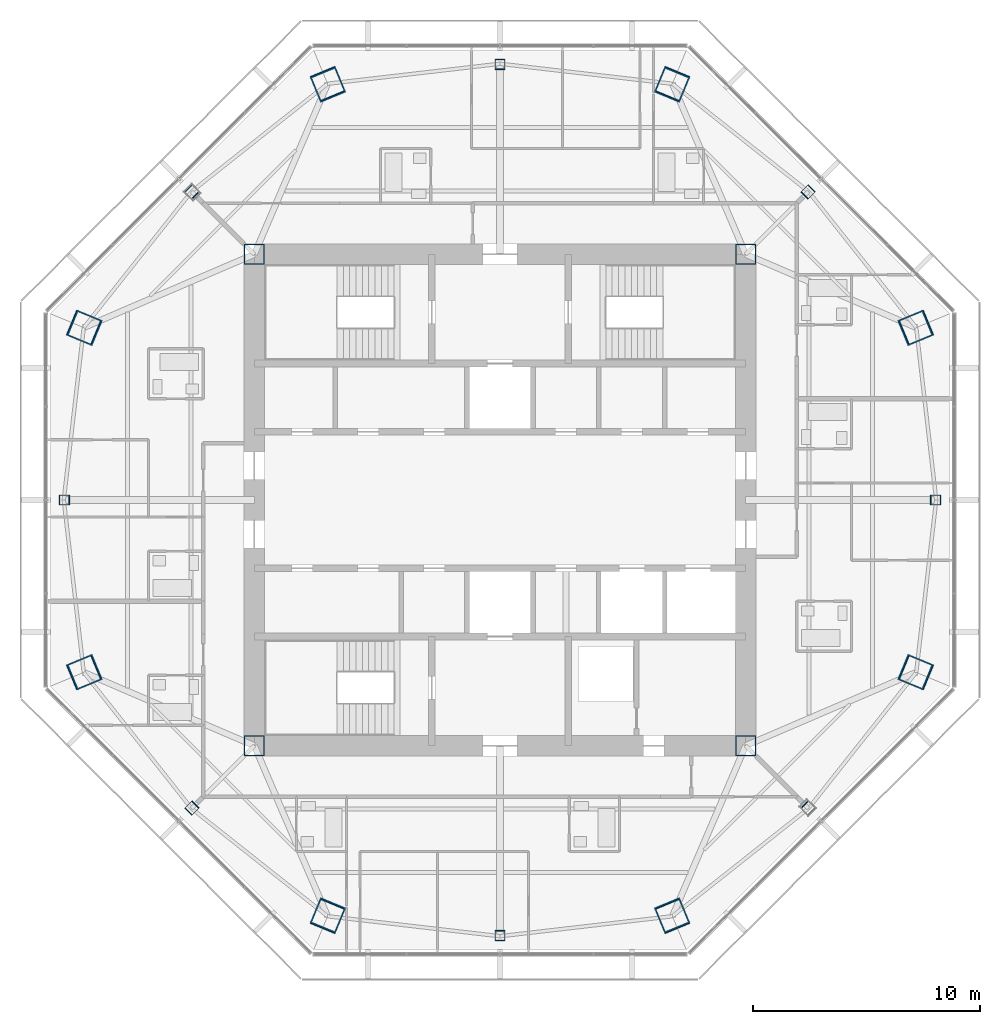
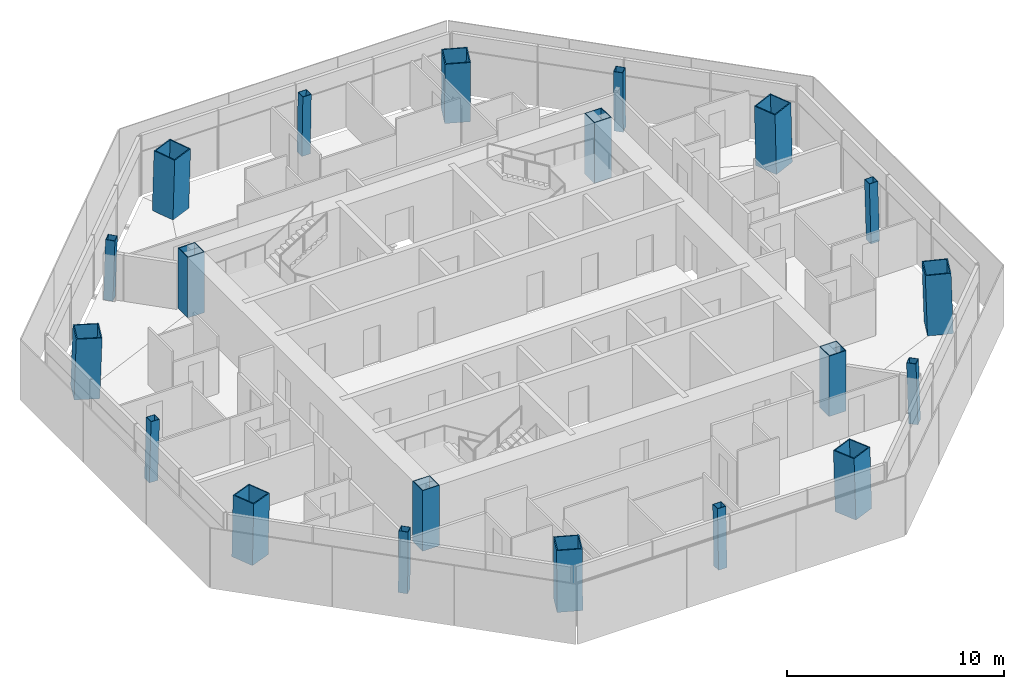
# One storey, part 1 of 14: 20 columns.
"""IFC4 building model written with IfcOpenShell, lengths in metres."""

from ifc_helpers import new_model, si_unit, direction, frame, origin, origin_2d, place, context, subcontext, project, spatial, hollow_rectangle, extrude, material, material_profile, profile_set, type_object, element, save


model = new_model("IFC4")

# Units and contexts
model_context = context("Model", 3, precision=1e-05, world=origin(), true_north=direction((0.0, 1.0)))
body_context = subcontext(model_context, "Body", "Model", "MODEL_VIEW")
ifc_project = project(units=[si_unit("LENGTHUNIT", "METRE"), si_unit("AREAUNIT", "SQUARE_METRE"), si_unit("VOLUMEUNIT", "CUBIC_METRE"), si_unit("PLANEANGLEUNIT", "RADIAN"), si_unit("MASSUNIT", "GRAM", prefix="KILO")], contexts=[model_context])

# Site, building, storey
site_placement = place(None, origin())
site = spatial("IfcSite", under=ifc_project, at=site_placement, CompositionType="ELEMENT")
building_placement = place(site_placement, origin())
building = spatial("IfcBuilding", under=site, at=building_placement, Name="Mashrafa Tower", CompositionType="ELEMENT")
storey_placement = place(building_placement, frame((0.0, 0.0, 284.39990234375)))
storey = spatial("IfcBuildingStorey", under=building, at=storey_placement, Name="L69", CompositionType="ELEMENT", Elevation=284.39990234375)

# Columns
ifc_material_1 = material(Name="Steel ASTM A572 Gr 50", Category="steel")
ifc_material_profile_1 = material_profile(ifc_material_1, hollow_rectangle(XDim=0.89990234375, YDim=0.89990234375, WallThickness=0.0400390625, at=origin_2d()), Name="BOX900X900X40")
ifc_profile_set_1 = profile_set([ifc_material_profile_1], Name="Steel ASTM A572 Gr 50")
column_type_1 = type_object("IfcColumnType", Name="Core corner column BOX900X900X40", PredefinedType="COLUMN", material=ifc_profile_set_1)
for number, where, z_axis, x_axis, name in (
    (1, (10.800048828125, 10.800048828125, 0.0), (0.0, 0.0, 1.0), (1.0, 0.0, 0.0), "Core corner column CC-NE L69"),
    (2, (-10.800048828125, 10.800048828125, 0.0), (0.0, 0.0, 1.0), (1.0, 0.0, 0.0), "Core corner column CC-NW L69"),
    (3, (-10.800048828125, -10.800048828125, 0.0), (0.0, 0.0, 1.0), (1.0, 0.0, 0.0), "Core corner column CC-SW L69"),
    (4, (10.800048828125, -10.800048828125, 0.0), (0.0, 0.0, 1.0), (1.0, 0.0, 0.0), "Core corner column CC-SE L69"),
):
    element("IfcColumn", number, at=place(storey_placement, frame(where, z_axis=z_axis, x_axis=x_axis)), inside=storey, type_object=column_type_1, Name=name, PredefinedType="COLUMN", context=body_context, shape_type="SweptSolid", body=[
        extrude(hollow_rectangle(XDim=0.89990234375, YDim=0.89990234375, WallThickness=0.0400390625, at=origin_2d()), origin(), (0.0, 0.0, 1.0), 3.400146484375),
    ])
ifc_material_2 = material(Name="Steel ASTM A572 Gr 50", Category="steel")
ifc_material_profile_2 = material_profile(ifc_material_2, hollow_rectangle(XDim=1.199951171875, YDim=1.199951171875, WallThickness=0.054931640625, at=origin_2d()), Name="BOX1200X1200X55")
ifc_profile_set_2 = profile_set([ifc_material_profile_2], Name="Steel ASTM A572 Gr 50")
column_type_2 = type_object("IfcColumnType", Name="Mega column CFST BOX1200X1200X55", PredefinedType="COLUMN", material=ifc_profile_set_2)
for number, where, z_axis, x_axis, name in (
    (5, (18.291259765625, 7.576416015625, 0.0), (-0.028277121884, -0.011698403216, 0.999531666202), (0.382282742426, -0.924045401938, 0.0), "Mega column MC1 L69"),
    (6, (7.576416015625, 18.291259765625, 0.0), (-0.011698403216, -0.028277121884, 0.999531666202), (0.924045401938, -0.382282742426, 0.0), "Mega column MC2 L69"),
    (7, (-7.576416015625, 18.291259765625, 0.0), (0.011698403216, -0.028277121884, 0.999531666202), (0.924045401938, 0.382282742426, 0.0), "Mega column MC3 L69"),
    (8, (-18.291259765625, 7.576416015625, 0.0), (0.028277121884, -0.011698403216, 0.999531666202), (0.382282742426, 0.924045401938, 0.0), "Mega column MC4 L69"),
    (9, (-18.291259765625, -7.576416015625, 0.0), (0.028277121884, 0.011698403216, 0.999531666202), (-0.382282742426, 0.924045401938, 0.0), "Mega column MC5 L69"),
    (10, (-7.576416015625, -18.291259765625, 0.0), (0.011698403216, 0.028277121884, 0.999531666202), (-0.924045401938, 0.382282742426, 0.0), "Mega column MC6 L69"),
    (11, (7.576416015625, -18.291259765625, 0.0), (-0.011698403216, 0.028277121884, 0.999531666202), (-0.924045401938, -0.382282742426, 0.0), "Mega column MC7 L69"),
    (12, (18.291259765625, -7.576416015625, 0.0), (-0.028277121884, 0.011698403216, 0.999531666202), (-0.382282742426, -0.924045401938, 0.0), "Mega column MC8 L69"),
):
    element("IfcColumn", number, at=place(storey_placement, frame(where, z_axis=z_axis, x_axis=x_axis)), inside=storey, type_object=column_type_2, Name=name, PredefinedType="COLUMN", context=body_context, shape_type="SweptSolid", body=[
        extrude(hollow_rectangle(XDim=1.199951171875, YDim=1.199951171875, WallThickness=0.054931640625, at=origin_2d()), origin(), (0.0, 0.0, 1.0), 3.40185546875),
    ])
ifc_material_3 = material(Name="Steel ASTM A572 Gr 50", Category="steel")
ifc_material_profile_3 = material_profile(ifc_material_3, hollow_rectangle(XDim=0.449951171875, YDim=0.449951171875, WallThickness=0.02001953125, at=origin_2d()), Name="BOX450X450X20")
ifc_profile_set_3 = profile_set([ifc_material_profile_3], Name="Steel ASTM A572 Gr 50")
column_type_3 = type_object("IfcColumnType", Name="Secondary column BOX450X450X20", PredefinedType="COLUMN", material=ifc_profile_set_3)
for number, where, z_axis, x_axis, name in (
    (13, (19.16943359375, 0.0, 0.0), (-0.028279056982, 0.0, 0.999600067495), (0.0, -1.0, 0.0), "Secondary column SC1 L69"),
    (14, (13.554931640625, 13.554931640625, 0.0), (-0.020024994503, -0.020024994503, 0.999598919162), (0.707106781187, -0.707106781187, 0.0), "Secondary column SC2 L69"),
    (15, (0.0, 19.16943359375, 0.0), (0.0, -0.028279056982, 0.999600067495), (1.0, 0.0, 0.0), "Secondary column SC3 L69"),
    (16, (-13.554931640625, 13.554931640625, 0.0), (0.020024994503, -0.020024994503, 0.999598919162), (0.707106781187, 0.707106781187, 0.0), "Secondary column SC4 L69"),
    (17, (-19.16943359375, 0.0, 0.0), (0.028279056982, 0.0, 0.999600067495), (0.0, 1.0, 0.0), "Secondary column SC5 L69"),
    (18, (-13.554931640625, -13.554931640625, 0.0), (0.020024994503, 0.020024994503, 0.999598919162), (-0.707106781187, 0.707106781187, 0.0), "Secondary column SC6 L69"),
    (19, (0.0, -19.16943359375, 0.0), (0.0, 0.028279056982, 0.999600067495), (-1.0, 0.0, 0.0), "Secondary column SC7 L69"),
    (20, (13.554931640625, -13.554931640625, 0.0), (-0.020024994503, 0.020024994503, 0.999598919162), (-0.707106781187, -0.707106781187, 0.0), "Secondary column SC8 L69"),
):
    element("IfcColumn", number, at=place(storey_placement, frame(where, z_axis=z_axis, x_axis=x_axis)), inside=storey, type_object=column_type_3, Name=name, PredefinedType="COLUMN", context=body_context, shape_type="SweptSolid", body=[
        extrude(hollow_rectangle(XDim=0.449951171875, YDim=0.449951171875, WallThickness=0.02001953125, at=origin_2d()), origin(), (0.0, 0.0, 1.0), 3.401611328125),
    ])

save(model, "model.ifc")
